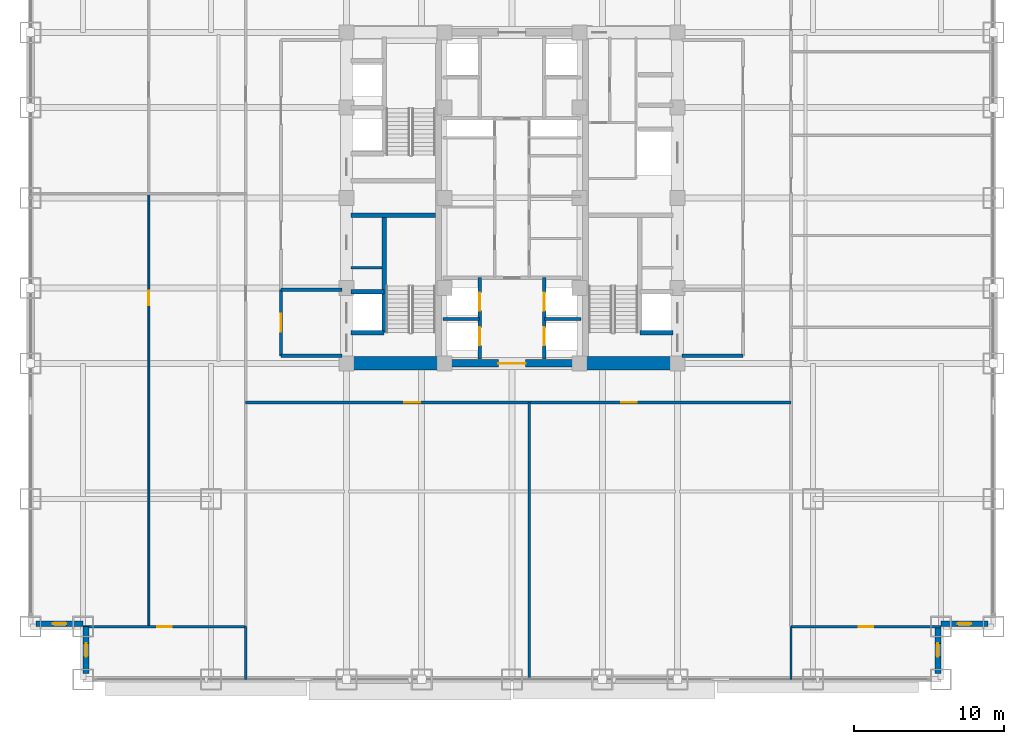
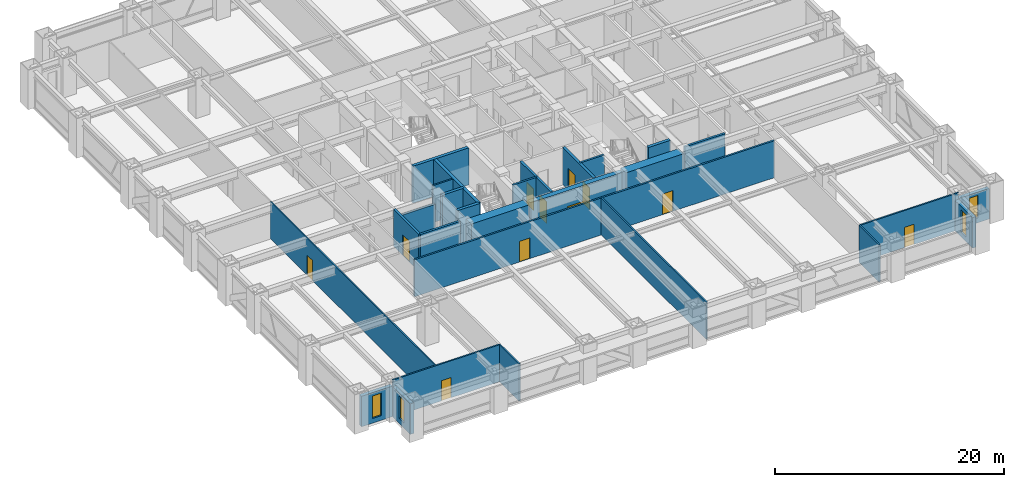
# One storey, part 23 of 32: 28 walls, 11 doors, 4 windows, 15 openings.
"""IFC4 building model written with IfcOpenShell, lengths in metres."""

import ifcopenshell
import ifcopenshell.guid

model = None  # the IFC model being written
_history = None  # IfcOwnerHistory: only IFC2X3 demands one
_inside = {}  # id of a spatial element -> (the spatial element, [elements in it])
_under = {}  # id of a project, library or spatial element -> (it, [spatial elements below it])
_declared = {}  # id of a project -> (the project, [libraries it declares])
_typed = {}  # id of a type object -> (the type object, [elements of that type])
_made_of = {}  # id of a material, layer set ... -> (it, [elements and type objects made of it])


def new_model(schema):
    """Start an empty IFC model of exactly this schema.

    Asked for "IFC4X3", IfcOpenShell would pick the latest addendum, in which some entities
    have other attributes; the version numbers below select the first issue.
    IFC2X3 requires an IfcOwnerHistory on every rooted entity: one is made here for all.
    """
    global model, _history
    if schema == "IFC4X3":
        model = ifcopenshell.file(schema_version=(4, 3, 0, 0))
    else:
        model = ifcopenshell.file(schema=schema)
    _inside.clear()
    _under.clear()
    _declared.clear()
    _typed.clear()
    _made_of.clear()
    _history = None
    if model.schema == "IFC2X3":
        org = make("IfcOrganization", Name="unknown")
        user = make(
            "IfcPersonAndOrganization",
            ThePerson=make("IfcPerson", FamilyName="unknown"),
            TheOrganization=org,
        )
        app = make(
            "IfcApplication",
            ApplicationDeveloper=org,
            Version="unknown",
            ApplicationFullName="unknown",
            ApplicationIdentifier="unknown",
        )
        _history = make(
            "IfcOwnerHistory",
            OwningUser=user,
            OwningApplication=app,
            ChangeAction="ADDED",
            CreationDate=0,
        )
    return model


def make(cls, **values):
    """One entity of the class cls with the attributes given. An attribute that is None is left unset."""
    return model.create_entity(
        cls, **{name: value for name, value in values.items() if value is not None}
    )


def rooted(cls, **values):
    """An entity with a GlobalId (a new one), such as an element, a storey or a relation."""
    return make(cls, GlobalId=ifcopenshell.guid.new(), OwnerHistory=_history, **values)


def si_unit(unit_type, name, prefix=None):
    """IfcSIUnit, for example si_unit("LENGTHUNIT", "METRE", prefix="MILLI")."""
    return make("IfcSIUnit", UnitType=unit_type, Prefix=prefix, Name=name)


def assignment(units):
    """IfcUnitAssignment: the units of a project."""
    return None if units is None else make("IfcUnitAssignment", Units=units)


def point(xyz):
    """IfcCartesianPoint."""
    return None if xyz is None else make("IfcCartesianPoint", Coordinates=xyz)


def direction(xyz):
    """IfcDirection."""
    return None if xyz is None else make("IfcDirection", DirectionRatios=xyz)


def frame(location, z_axis=None, x_axis=None):
    """IfcAxis2Placement3D, a coordinate frame: its origin and axes. An axis left out is left unset."""
    return make(
        "IfcAxis2Placement3D",
        Location=point(location),
        Axis=direction(z_axis),
        RefDirection=direction(x_axis),
    )


def frame_2d(location, x_axis=None):
    """IfcAxis2Placement2D, a coordinate frame in the plane: its origin and x axis."""
    return make(
        "IfcAxis2Placement2D", Location=point(location), RefDirection=direction(x_axis)
    )


def origin():
    """The frame at (0, 0, 0) with its axes left unset."""
    return frame((0.0, 0.0, 0.0))


def place(relative_to, where):
    """IfcLocalPlacement: puts the frame where relative to a parent placement (None: the world)."""
    return make(
        "IfcLocalPlacement", PlacementRelTo=relative_to, RelativePlacement=where
    )


def context(
    kind, dimensions, precision=None, world=None, true_north=None, identifier=None
):
    """IfcGeometricRepresentationContext, for example the 3D "Model" context."""
    return make(
        "IfcGeometricRepresentationContext",
        ContextIdentifier=identifier,
        ContextType=kind,
        CoordinateSpaceDimension=dimensions,
        Precision=precision,
        WorldCoordinateSystem=world,
        TrueNorth=true_north,
    )


def subcontext(parent, identifier, kind, view, scale=None):
    """IfcGeometricRepresentationSubContext, for example "Body" below "Model"."""
    return make(
        "IfcGeometricRepresentationSubContext",
        ContextIdentifier=identifier,
        ContextType=kind,
        ParentContext=parent,
        TargetScale=scale,
        TargetView=view,
    )


def project(units=None, contexts=None):
    """IfcProject with its units and contexts."""
    return rooted(
        "IfcProject",
        Name="project",
        RepresentationContexts=contexts,
        UnitsInContext=assignment(units),
    )


def spatial(cls, under=None, at=None, **own):
    """A site, building, storey or space (cls), placed at a placement, below another one or the project."""
    s = rooted(cls, ObjectPlacement=at, **own)
    if under is not None:
        _under.setdefault(under.id(), (under, []))[1].append(s)
    return s


def profile(cls, at=None, kind="AREA", **sizes):
    """A parametric profile (cls). Its sizes go by their IFC names, for example OverallWidth=200.0."""
    return make(cls, ProfileType=kind, Position=at, **sizes)


def rectangle(**sizes):
    """IfcRectangleProfileDef."""
    return profile("IfcRectangleProfileDef", **sizes)


def extrude(swept, where, along, depth):
    """IfcExtrudedAreaSolid: the profile swept, set in the frame where, extruded along a direction by depth."""
    return make(
        "IfcExtrudedAreaSolid",
        SweptArea=swept,
        Position=where,
        ExtrudedDirection=direction(along),
        Depth=depth,
    )


def shape(context_of_items, identifier, shape_type, items):
    """IfcShapeRepresentation: the items that make up one representation, for example the "Body"."""
    return make(
        "IfcShapeRepresentation",
        ContextOfItems=context_of_items,
        RepresentationIdentifier=identifier,
        RepresentationType=shape_type,
        Items=items,
    )


def source(mapping_origin, context_of_items, identifier, shape_type, items):
    """IfcRepresentationMap: a shape defined once, which mapped items show again and again."""
    return make(
        "IfcRepresentationMap",
        MappingOrigin=mapping_origin,
        MappedRepresentation=shape(context_of_items, identifier, shape_type, items),
    )


def transform(
    local_origin,
    x_axis=None,
    y_axis=None,
    z_axis=None,
    scale=None,
    scale2=None,
    scale3=None,
    uniform=True,
):
    """IfcCartesianTransformationOperator3D, or its non-uniform kind. x_axis, y_axis, z_axis: its Axis1, 2, 3."""
    if uniform:
        return make(
            "IfcCartesianTransformationOperator3D",
            Axis1=direction(x_axis),
            Axis2=direction(y_axis),
            LocalOrigin=point(local_origin),
            Scale=scale,
            Axis3=direction(z_axis),
        )
    return make(
        "IfcCartesianTransformationOperator3DnonUniform",
        Axis1=direction(x_axis),
        Axis2=direction(y_axis),
        LocalOrigin=point(local_origin),
        Scale=scale,
        Axis3=direction(z_axis),
        Scale2=scale2,
        Scale3=scale3,
    )


def mapped(mapping_source, mapping_target):
    """IfcMappedItem: shows the shape of a source again, moved by a transform."""
    return make(
        "IfcMappedItem", MappingSource=mapping_source, MappingTarget=mapping_target
    )


def material(Name=None, Category=None):
    """IfcMaterial."""
    return make("IfcMaterial", Name=Name, Category=Category)


def layer(
    of_material, thickness, ventilated=None, Name=None, Category=None, Priority=None
):
    """IfcMaterialLayer: one layer of a wall or slab, of a material (None: an air gap)."""
    return make(
        "IfcMaterialLayer",
        Material=of_material,
        LayerThickness=thickness,
        IsVentilated=ventilated,
        Name=Name,
        Category=Category,
        Priority=Priority,
    )


def layer_set(layers, Name=None):
    """IfcMaterialLayerSet."""
    return make("IfcMaterialLayerSet", MaterialLayers=layers, LayerSetName=Name)


def made_of(thing, what):
    """Note that an element or type object is made of a material, layer set ...; save() writes the relation."""
    if what is not None:
        _made_of.setdefault(what.id(), (what, []))[1].append(thing)
    return thing


def type_object(cls, material=None, **own):
    """A type object (cls), such as IfcWallType, which elements share."""
    return made_of(rooted(cls, **own), material)


def element(
    cls,
    number,
    at=None,
    inside=None,
    cuts=None,
    type_object=None,
    material=None,
    context=None,
    identifier="Body",
    shape_type=None,
    held_by="IfcProductDefinitionShape",
    body=None,
    shapes=None,
    **own,
):
    """One element of the class cls, such as IfcWall. Its Tag is "e" and its number.

    at: its placement. inside: the storey or other place that contains it. cuts: it is an
    opening in that element (IfcRelVoidsElement). A single representation is given by context,
    identifier, shape_type and body (its items); several are given by shapes. held_by: the class
    of the entity that holds the representations. save() writes the other relations.
    """
    e = rooted(cls, Tag="e%d" % number, ObjectPlacement=at, **own)
    if body is not None:
        shapes = [shape(context, identifier, shape_type, body)]
    if shapes is not None:
        e.Representation = make(held_by, Representations=shapes)
    if inside is not None:
        _inside.setdefault(inside.id(), (inside, []))[1].append(e)
    if cuts is not None:
        rooted(
            "IfcRelVoidsElement", RelatingBuildingElement=cuts, RelatedOpeningElement=e
        )
    if type_object is not None:
        _typed.setdefault(type_object.id(), (type_object, []))[1].append(e)
    return made_of(e, material)


def fill(opening, filler):
    """IfcRelFillsElement: the door or window that sits in an opening."""
    return rooted(
        "IfcRelFillsElement",
        RelatingOpeningElement=opening,
        RelatedBuildingElement=filler,
    )


def aggregate(whole, parts):
    """IfcRelAggregates: a whole, such as a stair, and the parts it consists of."""
    return rooted("IfcRelAggregates", RelatingObject=whole, RelatedObjects=parts)


def save(model, path):
    """Write the relations noted so far, then the file.

    IfcRelAggregates (storeys below a building ...), IfcRelContainedInSpatialStructure (elements
    in a storey), IfcRelDefinesByType, IfcRelAssociatesMaterial and IfcRelDeclares: one each for
    every whole, place, type object, material and project.
    """
    for whole, parts in _under.values():
        aggregate(whole, parts)
    for where, things in _inside.values():
        rooted(
            "IfcRelContainedInSpatialStructure",
            RelatedElements=things,
            RelatingStructure=where,
        )
    for kind, things in _typed.values():
        rooted("IfcRelDefinesByType", RelatedObjects=things, RelatingType=kind)
    for what, things in _made_of.values():
        rooted("IfcRelAssociatesMaterial", RelatedObjects=things, RelatingMaterial=what)
    for by, libraries in _declared.values():
        rooted("IfcRelDeclares", RelatingContext=by, RelatedDefinitions=libraries)
    model.write(path)


model = new_model("IFC4")

# Units and contexts
model_context = context("Model", 3, precision=1e-05, world=origin(), true_north=direction((0.0, 1.0)))
body_context = subcontext(model_context, "Body", "Model", "MODEL_VIEW")
ifc_project = project(units=[si_unit("LENGTHUNIT", "METRE"), si_unit("AREAUNIT", "SQUARE_METRE"), si_unit("VOLUMEUNIT", "CUBIC_METRE"), si_unit("PLANEANGLEUNIT", "RADIAN"), si_unit("MASSUNIT", "GRAM", prefix="KILO")], contexts=[model_context])

# Site, building, storey
site_placement = place(None, origin())
site = spatial("IfcSite", under=ifc_project, at=site_placement, CompositionType="ELEMENT")
building_placement = place(site_placement, origin())
building = spatial("IfcBuilding", under=site, at=building_placement, Name="Khorayat Bourse Tower", CompositionType="ELEMENT")
storey_placement = place(building_placement, frame((0.0, 0.0, 74.60009765625)))
storey = spatial("IfcBuildingStorey", under=building, at=storey_placement, Name="L16", CompositionType="ELEMENT", Elevation=74.60009765625)

# Walls
ifc_material_1 = material(Name="Concrete C72/90", Category="concrete")
ifc_layer_1 = layer(ifc_material_1, 0.89990234375)
ifc_layer_set_1 = layer_set([ifc_layer_1], Name="Concrete C72/90")
wall_type_1 = type_object("IfcWallType", Name="WAL-CORE-900", PredefinedType="SHEAR", material=ifc_layer_set_1)
shared_shape_1 = source(origin(), body_context, "Body", "SweptSolid", [
    extrude(rectangle(XDim=5.849853515625, YDim=0.89990234375, at=frame_2d((2.9248046875, 0.0))), origin(), (0.0, 0.0, 1.0), 3.93994140625),
])
for number, where, z_axis, x_axis, name in (
    (1, (-10.699951171875, -11.0, 0.0), (0.0, 0.0, 1.0), (1.0, 0.0, 0.0), "L16 Core Shear Wall PIER-WS"),
    (2, (4.85009765625, -11.0, 0.0), (0.0, 0.0, 1.0), (1.0, 0.0, 0.0), "L16 Core Shear Wall PIER-ES"),
):
    element("IfcWall", number, at=place(storey_placement, frame(where, z_axis=z_axis, x_axis=x_axis)), inside=storey, type_object=wall_type_1, Name=name, PredefinedType="SHEAR", context=body_context, shape_type="MappedRepresentation", body=[
        mapped(shared_shape_1, transform((0.0, 0.0, 0.0), scale=1.0)),
    ])
ifc_material_2 = material(Name="Concrete C50/60", Category="concrete")
ifc_layer_2 = layer(ifc_material_2, 0.300048828125)
ifc_layer_set_2 = layer_set([ifc_layer_2], Name="Concrete C50/60")
wall_type_2 = type_object("IfcWallType", Name="WAL-SHAFT-300", PredefinedType="SHEAR", material=ifc_layer_set_2)
shared_shape_2 = source(origin(), body_context, "Body", "SweptSolid", [
    extrude(rectangle(XDim=5.599853515625, YDim=0.300048828125, at=frame_2d((2.7998046875, 0.0))), origin(), (0.0, 0.0, 1.0), 3.93994140625),
])
wall_1_placement = place(storey_placement, frame((-10.699951171875, -1.14990234375, 0.0), z_axis=(0.0, 0.0, 1.0), x_axis=(1.0, 0.0, 0.0)))
element("IfcWall", 3, at=wall_1_placement, inside=storey, type_object=wall_type_2, Name="L16 Core Shear Wall ST1-DIV", PredefinedType="SHEAR", context=body_context, shape_type="MappedRepresentation", body=[
    mapped(shared_shape_2, transform((0.0, 0.0, 0.0), scale=1.0)),
])

# Wall, opening, door
ifc_material_3 = material(Name="Concrete C52/65", Category="concrete")
ifc_layer_3 = layer(ifc_material_3, 0.5)
ifc_layer_set_3 = layer_set([ifc_layer_3], Name="Concrete C52/65")
wall_type_3 = type_object("IfcWallType", Name="WAL-CORE-500", PredefinedType="SHEAR", material=ifc_layer_set_3)
shared_shape_3 = source(origin(), body_context, "Body", "SweptSolid", [
    extrude(rectangle(XDim=9.2001953125, YDim=0.5, at=frame_2d((4.60009765625, 0.0))), origin(), (0.0, 0.0, 1.0), 3.93994140625),
])
wall_2_placement = place(storey_placement, frame((-4.60009765625, -11.0, 0.0), z_axis=(0.0, 0.0, 1.0), x_axis=(1.0, 0.0, 0.0)))
wall_2 = element("IfcWall", 4, at=wall_2_placement, inside=storey, type_object=wall_type_3, Name="L16 Core Shear Wall CORE-S", PredefinedType="SHEAR", context=body_context, shape_type="MappedRepresentation", body=[
    mapped(shared_shape_3, transform((0.0, 0.0, 0.0), scale=1.0)),
])
shared_shape_4 = source(origin(), body_context, "Body", "SweptSolid", [
    extrude(rectangle(XDim=1.800048828125, YDim=2.25, at=frame_2d((0.89990234375, 1.125))), frame((0.0, 0.260009765625, 0.0), z_axis=(0.0, -1.0, 0.0), x_axis=(1.0, 0.0, 0.0)), (0.0, 0.0, 1.0), 0.52001953125),
])
opening_1_placement = place(wall_2_placement, frame((3.699951171875, 0.0, 0.0)))
opening_1 = element("IfcOpeningElement", 5, at=opening_1_placement, cuts=wall_2, Name="Opening DI-03", PredefinedType="OPENING", context=body_context, shape_type="MappedRepresentation", body=[
    mapped(shared_shape_4, transform((0.0, 0.0, 0.0), scale=1.0)),
])
ifc_material_4 = material(Name="Fire-rated hardwood vision-panel double leaf", Category="wood")
door_type_1 = type_object("IfcDoorType", Name="DR-INT-CORR-1800", OperationType="NOTDEFINED", PredefinedType="DOOR", material=ifc_material_4)
shared_shape_5 = source(origin(), body_context, "Body", "SweptSolid", [
    extrude(rectangle(XDim=1.800048828125, YDim=2.25, at=frame_2d((0.89990234375, 1.125))), frame((0.0, 0.02490234375, 0.0), z_axis=(0.0, -1.0, 0.0), x_axis=(1.0, 0.0, 0.0)), (0.0, 0.0, 1.0), 0.050048828125),
])
door_1_placement = place(opening_1_placement, origin())
door_1 = element("IfcDoor", 6, at=door_1_placement, inside=storey, type_object=door_type_1, Name="L16 Low-Rise Lift Lobby Door", OperationType="SINGLE_SWING_LEFT", OverallHeight=2.25, OverallWidth=1.800048828125, PredefinedType="DOOR", context=body_context, shape_type="MappedRepresentation", body=[
    mapped(shared_shape_5, transform((0.0, 0.0, 0.0), scale=1.0)),
])
fill(opening_1, door_1)

# Wall, opening, window
ifc_material_5 = material(Name="Precast concrete C45/55", Category="concrete")
ifc_layer_4 = layer(ifc_material_5, 0.3798828125)
ifc_layer_set_4 = layer_set([ifc_layer_4], Name="Precast concrete C45/55")
wall_type_4 = type_object("IfcWallType", Name="WAL-EXT-STONE-380", PredefinedType="STANDARD", material=ifc_layer_set_4)
shared_shape_6 = source(origin(), body_context, "Body", "SweptSolid", [
    extrude(rectangle(XDim=3.1201171875, YDim=0.3798828125, at=frame_2d((1.56005859375, 0.0))), origin(), (0.0, 0.0, 1.0), 3.244873046875),
])
wall_3_placement = place(storey_placement, frame((-28.5, -28.31005859375, 0.0), z_axis=(0.0, 0.0, 1.0), x_axis=(-1.0, 0.0, 0.0)))
wall_3 = element("IfcWall", 7, at=wall_3_placement, inside=storey, type_object=wall_type_4, Name="L16 Re-Entrant Notch Limestone Wall SW-H", PredefinedType="STANDARD", context=body_context, shape_type="MappedRepresentation", body=[
    mapped(shared_shape_6, transform((0.0, 0.0, 0.0), scale=1.0)),
])
shared_shape_7 = source(origin(), body_context, "Body", "SweptSolid", [
    extrude(rectangle(XDim=0.89990234375, YDim=2.39990234375, at=frame_2d((0.449951171875, 1.199951171875))), frame((0.0, 0.199951171875, 0.0), z_axis=(0.0, -1.0, 0.0), x_axis=(1.0, 0.0, 0.0)), (0.0, 0.0, 1.0), 0.39990234375),
])
opening_2_placement = place(wall_3_placement, frame((1.110107421875, 0.0, 0.5)))
opening_2 = element("IfcOpeningElement", 8, at=opening_2_placement, cuts=wall_3, Name="Opening WN-03", PredefinedType="OPENING", context=body_context, shape_type="MappedRepresentation", body=[
    mapped(shared_shape_7, transform((0.0, 0.0, 0.0), scale=1.0)),
])
ifc_material_6 = material(Name="Deep-reveal solar-control double glazing", Category="glass")
window_type = type_object("IfcWindowType", Name="WIN-SLOT-900x2400", PartitioningType="SINGLE_PANEL", PredefinedType="WINDOW", material=ifc_material_6)
shared_shape_8 = source(origin(), body_context, "Body", "SweptSolid", [
    extrude(rectangle(XDim=0.89990234375, YDim=2.39990234375, at=frame_2d((0.449951171875, 1.199951171875))), frame((0.0, 0.030029296875, 0.0), z_axis=(0.0, -1.0, 0.0), x_axis=(1.0, 0.0, 0.0)), (0.0, 0.0, 1.0), 0.06005859375),
])
window_1_placement = place(opening_2_placement, origin())
window_1 = element("IfcWindow", 9, at=window_1_placement, inside=storey, type_object=window_type, Name="L16 Facade Window 1", OverallHeight=2.39990234375, OverallWidth=0.89990234375, PartitioningType="SINGLE_PANEL", PredefinedType="WINDOW", context=body_context, shape_type="MappedRepresentation", body=[
    mapped(shared_shape_8, transform((0.0, 0.0, 0.0), scale=1.0)),
])
fill(opening_2, window_1)

wall_4_placement = place(storey_placement, frame((-28.31005859375, -31.6201171875, 0.0), z_axis=(0.0, 0.0, 1.0), x_axis=(0.0, 1.0, 0.0)))
wall_4 = element("IfcWall", 10, at=wall_4_placement, inside=storey, type_object=wall_type_4, Name="L16 Re-Entrant Notch Limestone Wall SW-V", PredefinedType="STANDARD", context=body_context, shape_type="MappedRepresentation", body=[
    mapped(shared_shape_6, transform((0.0, 0.0, 0.0), scale=1.0)),
])
opening_3_placement = place(wall_4_placement, frame((1.110107421875, 0.0, 0.5)))
opening_3 = element("IfcOpeningElement", 11, at=opening_3_placement, cuts=wall_4, Name="Opening WN-03", PredefinedType="OPENING", context=body_context, shape_type="MappedRepresentation", body=[
    mapped(shared_shape_7, transform((0.0, 0.0, 0.0), scale=1.0)),
])
window_2_placement = place(opening_3_placement, origin())
window_2 = element("IfcWindow", 12, at=window_2_placement, inside=storey, type_object=window_type, Name="L16 Facade Window 1", OverallHeight=2.39990234375, OverallWidth=0.89990234375, PartitioningType="SINGLE_PANEL", PredefinedType="WINDOW", context=body_context, shape_type="MappedRepresentation", body=[
    mapped(shared_shape_8, transform((0.0, 0.0, 0.0), scale=1.0)),
])
fill(opening_3, window_2)

wall_5_placement = place(storey_placement, frame((28.31005859375, -31.6201171875, 0.0), z_axis=(0.0, 0.0, 1.0), x_axis=(0.0, 1.0, 0.0)))
wall_5 = element("IfcWall", 13, at=wall_5_placement, inside=storey, type_object=wall_type_4, Name="L16 Re-Entrant Notch Limestone Wall SE-V", PredefinedType="STANDARD", context=body_context, shape_type="MappedRepresentation", body=[
    mapped(shared_shape_6, transform((0.0, 0.0, 0.0), scale=1.0)),
])
opening_4_placement = place(wall_5_placement, frame((1.110107421875, 0.0, 0.5)))
opening_4 = element("IfcOpeningElement", 14, at=opening_4_placement, cuts=wall_5, Name="Opening WN-03", PredefinedType="OPENING", context=body_context, shape_type="MappedRepresentation", body=[
    mapped(shared_shape_7, transform((0.0, 0.0, 0.0), scale=1.0)),
])
window_3_placement = place(opening_4_placement, origin())
window_3 = element("IfcWindow", 15, at=window_3_placement, inside=storey, type_object=window_type, Name="L16 Facade Window 1", OverallHeight=2.39990234375, OverallWidth=0.89990234375, PartitioningType="SINGLE_PANEL", PredefinedType="WINDOW", context=body_context, shape_type="MappedRepresentation", body=[
    mapped(shared_shape_8, transform((0.0, 0.0, 0.0), scale=1.0)),
])
fill(opening_4, window_3)

wall_6_placement = place(storey_placement, frame((28.5, -28.31005859375, 0.0), z_axis=(0.0, 0.0, 1.0), x_axis=(1.0, 0.0, 0.0)))
wall_6 = element("IfcWall", 16, at=wall_6_placement, inside=storey, type_object=wall_type_4, Name="L16 Re-Entrant Notch Limestone Wall SE-H", PredefinedType="STANDARD", context=body_context, shape_type="MappedRepresentation", body=[
    mapped(shared_shape_6, transform((0.0, 0.0, 0.0), scale=1.0)),
])
opening_5_placement = place(wall_6_placement, frame((1.110107421875, 0.0, 0.5)))
opening_5 = element("IfcOpeningElement", 17, at=opening_5_placement, cuts=wall_6, Name="Opening WN-03", PredefinedType="OPENING", context=body_context, shape_type="MappedRepresentation", body=[
    mapped(shared_shape_7, transform((0.0, 0.0, 0.0), scale=1.0)),
])
window_4_placement = place(opening_5_placement, origin())
window_4 = element("IfcWindow", 18, at=window_4_placement, inside=storey, type_object=window_type, Name="L16 Facade Window 1", OverallHeight=2.39990234375, OverallWidth=0.89990234375, PartitioningType="SINGLE_PANEL", PredefinedType="WINDOW", context=body_context, shape_type="MappedRepresentation", body=[
    mapped(shared_shape_8, transform((0.0, 0.0, 0.0), scale=1.0)),
])
fill(opening_5, window_4)

# Walls
shared_shape_9 = source(origin(), body_context, "Body", "SweptSolid", [
    extrude(rectangle(XDim=7.800048828125, YDim=0.300048828125, at=frame_2d((3.89990234375, 0.0))), origin(), (0.0, 0.0, 1.0), 3.93994140625),
])
wall_7_placement = place(storey_placement, frame((-8.5, -8.949951171875, 0.0), z_axis=(0.0, 0.0, 1.0), x_axis=(0.0, 1.0, 0.0)))
element("IfcWall", 19, at=wall_7_placement, inside=storey, type_object=wall_type_2, Name="L16 Partition WAL-L16-WPIER-SP", PredefinedType="SHEAR", context=body_context, shape_type="MappedRepresentation", body=[
    mapped(shared_shape_9, transform((0.0, 0.0, 0.0), scale=1.0)),
])
shared_shape_10 = source(origin(), body_context, "Body", "SweptSolid", [
    extrude(rectangle(XDim=2.199951171875, YDim=0.300048828125, at=frame_2d((1.10009765625, 0.0))), origin(), (0.0, 0.0, 1.0), 3.93994140625),
])
for number, where, z_axis, x_axis, name in (
    (20, (-10.699951171875, -8.949951171875, 0.0), (0.0, 0.0, 1.0), (1.0, 0.0, 0.0), "L16 Partition WAL-L16-WPIER-FF1S"),
    (21, (-10.699951171875, -6.25, 0.0), (0.0, 0.0, 1.0), (1.0, 0.0, 0.0), "L16 Partition WAL-L16-WPIER-FF1N"),
    (22, (8.5, -8.949951171875, 0.0), (0.0, 0.0, 1.0), (1.0, 0.0, 0.0), "L16 Partition WAL-L16-EPIER-FF2S"),
):
    element("IfcWall", number, at=place(storey_placement, frame(where, z_axis=z_axis, x_axis=x_axis)), inside=storey, type_object=wall_type_2, Name=name, PredefinedType="SHEAR", context=body_context, shape_type="MappedRepresentation", body=[
        mapped(shared_shape_10, transform((0.0, 0.0, 0.0), scale=1.0)),
    ])
ifc_material_7 = material(Name="Gypsum plasterboard twin-frame partition")
ifc_layer_5 = layer(ifc_material_7, 0.14990234375)
ifc_layer_set_5 = layer_set([ifc_layer_5], Name="Gypsum plasterboard twin-frame partition")
wall_type_5 = type_object("IfcWallType", Name="WAL-PART-SUITE-150", PredefinedType="PARTITIONING", material=ifc_layer_set_5)
shared_shape_11 = source(origin(), body_context, "Body", "SweptSolid", [
    extrude(rectangle(XDim=2.050048828125, YDim=0.14990234375, at=frame_2d((1.02490234375, 0.0))), origin(), (0.0, 0.0, 1.0), 3.93994140625),
])
wall_8_placement = place(storey_placement, frame((-10.699951171875, -4.64990234375, 0.0), z_axis=(0.0, 0.0, 1.0), x_axis=(1.0, 0.0, 0.0)))
element("IfcWall", 23, at=wall_8_placement, inside=storey, type_object=wall_type_5, Name="L16 Partition WAL-L16-WSRV-S0", PredefinedType="PARTITIONING", context=body_context, shape_type="MappedRepresentation", body=[
    mapped(shared_shape_11, transform((0.0, 0.0, 0.0), scale=1.0)),
])
ifc_material_8 = material(Name="Aerated concrete blockwork", Category="masonry")
ifc_layer_6 = layer(ifc_material_8, 0.219970703125)
ifc_layer_set_6 = layer_set([ifc_layer_6], Name="Aerated concrete blockwork")
wall_type_6 = type_object("IfcWallType", Name="WAL-PART-FF-220", PredefinedType="PARTITIONING", material=ifc_layer_set_6)
shared_shape_12 = source(origin(), body_context, "Body", "SweptSolid", [
    extrude(rectangle(XDim=4.050048828125, YDim=0.219970703125, at=frame_2d((2.02490234375, 0.0))), origin(), (0.0, 0.0, 1.0), 3.93994140625),
])
for number, where, z_axis, x_axis, name in (
    (24, (-15.35009765625, -10.5, 0.0), (0.0, 0.0, 1.0), (1.0, 0.0, 0.0), "L16 Partition WAL-L16-FFLW-S"),
    (25, (11.300048828125, -10.5, 0.0), (0.0, 0.0, 1.0), (1.0, 0.0, 0.0), "L16 Partition WAL-L16-FFLE-S"),
):
    element("IfcWall", number, at=place(storey_placement, frame(where, z_axis=z_axis, x_axis=x_axis)), inside=storey, type_object=wall_type_6, Name=name, PredefinedType="PARTITIONING", context=body_context, shape_type="MappedRepresentation", body=[
        mapped(shared_shape_12, transform((0.0, 0.0, 0.0), scale=1.0)),
    ])
shared_shape_13 = source(origin(), body_context, "Body", "SweptSolid", [
    extrude(rectangle(XDim=4.050048828125, YDim=0.219970703125, at=frame_2d((2.02490234375, 0.0))), origin(), (0.0, 0.0, 1.0), 3.0849609375),
])
wall_9_placement = place(storey_placement, frame((-15.35009765625, -6.10009765625, 0.0), z_axis=(0.0, 0.0, 1.0), x_axis=(1.0, 0.0, 0.0)))
element("IfcWall", 26, at=wall_9_placement, inside=storey, type_object=wall_type_6, Name="L16 Partition WAL-L16-FFLW-N", PredefinedType="PARTITIONING", context=body_context, shape_type="MappedRepresentation", body=[
    mapped(shared_shape_13, transform((0.0, 0.0, 0.0), scale=1.0)),
])

# Wall, opening, door
shared_shape_14 = source(origin(), body_context, "Body", "SweptSolid", [
    extrude(rectangle(XDim=4.39990234375, YDim=0.219970703125, at=frame_2d((2.199951171875, 0.0))), origin(), (0.0, 0.0, 1.0), 3.93994140625),
])
wall_10_placement = place(storey_placement, frame((-15.35009765625, -10.5, 0.0), z_axis=(0.0, 0.0, 1.0), x_axis=(0.0, 1.0, 0.0)))
wall_10 = element("IfcWall", 27, at=wall_10_placement, inside=storey, type_object=wall_type_6, Name="L16 Partition WAL-L16-FFLW-W", PredefinedType="PARTITIONING", context=body_context, shape_type="MappedRepresentation", body=[
    mapped(shared_shape_14, transform((0.0, 0.0, 0.0), scale=1.0)),
])
shared_shape_15 = source(origin(), body_context, "Body", "SweptSolid", [
    extrude(rectangle(XDim=1.199951171875, YDim=2.199951171875, at=frame_2d((0.60009765625, 1.10009765625))), frame((0.0, 0.119873046875, 0.0), z_axis=(0.0, -1.0, 0.0), x_axis=(1.0, 0.0, 0.0)), (0.0, 0.0, 1.0), 0.239990234375),
])
opening_6_placement = place(wall_10_placement, frame((1.60009765625, 0.0, 0.0)))
opening_6 = element("IfcOpeningElement", 28, at=opening_6_placement, cuts=wall_10, Name="Opening DI-02", PredefinedType="OPENING", context=body_context, shape_type="MappedRepresentation", body=[
    mapped(shared_shape_15, transform((0.0, 0.0, 0.0), scale=1.0)),
])
ifc_material_9 = material(Name="Fire-rated steel double-seal leaf", Category="steel")
door_type_2 = type_object("IfcDoorType", Name="DR-INT-FFLOBBY-1200", OperationType="NOTDEFINED", PredefinedType="DOOR", material=ifc_material_9)
shared_shape_16 = source(origin(), body_context, "Body", "SweptSolid", [
    extrude(rectangle(XDim=1.199951171875, YDim=2.199951171875, at=frame_2d((0.60009765625, 1.10009765625))), frame((0.0, 0.02490234375, 0.0), z_axis=(0.0, -1.0, 0.0), x_axis=(1.0, 0.0, 0.0)), (0.0, 0.0, 1.0), 0.050048828125),
])
door_2_placement = place(opening_6_placement, origin())
door_2 = element("IfcDoor", 29, at=door_2_placement, inside=storey, type_object=door_type_2, Name="L16 West Firefighting Lobby Door", OperationType="SINGLE_SWING_LEFT", OverallHeight=2.199951171875, OverallWidth=1.199951171875, PredefinedType="DOOR", context=body_context, shape_type="MappedRepresentation", body=[
    mapped(shared_shape_16, transform((0.0, 0.0, 0.0), scale=1.0)),
])
fill(opening_6, door_2)

# Wall, openings, doors
shared_shape_17 = source(origin(), body_context, "Body", "SweptSolid", [
    extrude(rectangle(XDim=5.39990234375, YDim=0.25, at=frame_2d((2.699951171875, 0.0))), origin(), (0.0, 0.0, 1.0), 3.93994140625),
])
wall_11_placement = place(storey_placement, frame((-2.14990234375, -10.699951171875, 0.0), z_axis=(0.0, 0.0, 1.0), x_axis=(0.0, 1.0, 0.0)))
wall_11 = element("IfcWall", 30, at=wall_11_placement, inside=storey, type_object=wall_type_2, Name="L16 Partition WAL-L16-B1-W", PredefinedType="SHEAR", context=body_context, shape_type="MappedRepresentation", body=[
    mapped(shared_shape_17, transform((0.0, 0.0, 0.0), scale=1.0)),
])
shared_shape_18 = source(origin(), body_context, "Body", "SweptSolid", [
    extrude(rectangle(XDim=1.199951171875, YDim=2.300048828125, at=frame_2d((0.60009765625, 1.14990234375))), frame((0.0, 0.135009765625, 0.0), z_axis=(0.0, -1.0, 0.0), x_axis=(1.0, 0.0, 0.0)), (0.0, 0.0, 1.0), 0.27001953125),
])
opening_7_placement = place(wall_11_placement, frame((0.89990234375, 0.0, 0.0)))
opening_7 = element("IfcOpeningElement", 31, at=opening_7_placement, cuts=wall_11, Name="Opening LD-01", PredefinedType="OPENING", context=body_context, shape_type="MappedRepresentation", body=[
    mapped(shared_shape_18, transform((0.0, 0.0, 0.0), scale=1.0)),
])
opening_8_placement = place(wall_11_placement, frame((3.199951171875, 0.0, 0.0)))
opening_8 = element("IfcOpeningElement", 32, at=opening_8_placement, cuts=wall_11, Name="Opening LD-01", PredefinedType="OPENING", context=body_context, shape_type="MappedRepresentation", body=[
    mapped(shared_shape_18, transform((0.0, 0.0, 0.0), scale=1.0)),
])
ifc_material_10 = material(Name="Brushed bronze stainless-steel sliding door", Category="steel")
door_type_3 = type_object("IfcDoorType", Name="DR-LIFT-PASS-1200", OperationType="NOTDEFINED", PredefinedType="DOOR", material=ifc_material_10)
shared_shape_19 = source(origin(), body_context, "Body", "SweptSolid", [
    extrude(rectangle(XDim=1.199951171875, YDim=2.300048828125, at=frame_2d((0.60009765625, 1.14990234375))), frame((0.0, 0.02490234375, 0.0), z_axis=(0.0, -1.0, 0.0), x_axis=(1.0, 0.0, 0.0)), (0.0, 0.0, 1.0), 0.050048828125),
])
door_3_placement = place(opening_7_placement, origin())
door_3 = element("IfcDoor", 33, at=door_3_placement, inside=storey, type_object=door_type_3, Name="L16 Lift PL-L1 Sliding Landing Door", OperationType="SLIDING_TO_LEFT", OverallHeight=2.300048828125, OverallWidth=1.199951171875, PredefinedType="DOOR", context=body_context, shape_type="MappedRepresentation", body=[
    mapped(shared_shape_19, transform((0.0, 0.0, 0.0), scale=1.0)),
])
fill(opening_7, door_3)
door_4_placement = place(opening_8_placement, origin())
door_4 = element("IfcDoor", 34, at=door_4_placement, inside=storey, type_object=door_type_3, Name="L16 Lift PL-L3 Sliding Landing Door", OperationType="SLIDING_TO_LEFT", OverallHeight=2.300048828125, OverallWidth=1.199951171875, PredefinedType="DOOR", context=body_context, shape_type="MappedRepresentation", body=[
    mapped(shared_shape_19, transform((0.0, 0.0, 0.0), scale=1.0)),
])
fill(opening_8, door_4)

wall_12_placement = place(storey_placement, frame((2.14990234375, -10.699951171875, 0.0), z_axis=(0.0, 0.0, 1.0), x_axis=(0.0, 1.0, 0.0)))
wall_12 = element("IfcWall", 35, at=wall_12_placement, inside=storey, type_object=wall_type_2, Name="L16 Partition WAL-L16-B1-E", PredefinedType="SHEAR", context=body_context, shape_type="MappedRepresentation", body=[
    mapped(shared_shape_17, transform((0.0, 0.0, 0.0), scale=1.0)),
])
opening_9_placement = place(wall_12_placement, frame((0.89990234375, 0.0, 0.0)))
opening_9 = element("IfcOpeningElement", 36, at=opening_9_placement, cuts=wall_12, Name="Opening LD-01", PredefinedType="OPENING", context=body_context, shape_type="MappedRepresentation", body=[
    mapped(shared_shape_18, transform((0.0, 0.0, 0.0), scale=1.0)),
])
opening_10_placement = place(wall_12_placement, frame((3.199951171875, 0.0, 0.0)))
opening_10 = element("IfcOpeningElement", 37, at=opening_10_placement, cuts=wall_12, Name="Opening LD-01", PredefinedType="OPENING", context=body_context, shape_type="MappedRepresentation", body=[
    mapped(shared_shape_18, transform((0.0, 0.0, 0.0), scale=1.0)),
])
door_5_placement = place(opening_9_placement, origin())
door_5 = element("IfcDoor", 38, at=door_5_placement, inside=storey, type_object=door_type_3, Name="L16 Lift PL-L2 Sliding Landing Door", OperationType="SLIDING_TO_LEFT", OverallHeight=2.300048828125, OverallWidth=1.199951171875, PredefinedType="DOOR", context=body_context, shape_type="MappedRepresentation", body=[
    mapped(shared_shape_19, transform((0.0, 0.0, 0.0), scale=1.0)),
])
fill(opening_9, door_5)
door_6_placement = place(opening_10_placement, origin())
door_6 = element("IfcDoor", 39, at=door_6_placement, inside=storey, type_object=door_type_3, Name="L16 Lift PL-L4 Sliding Landing Door", OperationType="SLIDING_TO_LEFT", OverallHeight=2.300048828125, OverallWidth=1.199951171875, PredefinedType="DOOR", context=body_context, shape_type="MappedRepresentation", body=[
    mapped(shared_shape_19, transform((0.0, 0.0, 0.0), scale=1.0)),
])
fill(opening_10, door_6)

# Walls
shared_shape_20 = source(origin(), body_context, "Body", "SweptSolid", [
    extrude(rectangle(XDim=2.4501953125, YDim=0.199951171875, at=frame_2d((1.22509765625, 0.0))), origin(), (0.0, 0.0, 1.0), 3.93994140625),
])
for number, where, z_axis, x_axis, name in (
    (40, (-4.60009765625, -8.050048828125, 0.0), (0.0, 0.0, 1.0), (1.0, 0.0, 0.0), "L16 Partition WAL-L16-B1-MW"),
    (41, (2.14990234375, -8.050048828125, 0.0), (0.0, 0.0, 1.0), (1.0, 0.0, 0.0), "L16 Partition WAL-L16-B1-ME"),
):
    element("IfcWall", number, at=place(storey_placement, frame(where, z_axis=z_axis, x_axis=x_axis)), inside=storey, type_object=wall_type_2, Name=name, PredefinedType="SHEAR", context=body_context, shape_type="MappedRepresentation", body=[
        mapped(shared_shape_20, transform((0.0, 0.0, 0.0), scale=1.0)),
    ])

# Wall, openings, doors
ifc_material_11 = material(Name="Gypsum plasterboard acoustic stud wall")
ifc_layer_7 = layer(ifc_material_11, 0.179931640625)
ifc_layer_set_7 = layer_set([ifc_layer_7], Name="Gypsum plasterboard acoustic stud wall")
wall_type_7 = type_object("IfcWallType", Name="WAL-PART-CORR-180", PredefinedType="PARTITIONING", material=ifc_layer_set_7)
shared_shape_21 = source(origin(), body_context, "Body", "SweptSolid", [
    extrude(rectangle(XDim=36.25, YDim=0.179931640625, at=frame_2d((18.125, 0.0))), origin(), (0.0, 0.0, 1.0), 3.93994140625),
])
wall_13_placement = place(storey_placement, frame((-17.699951171875, -13.60009765625, 0.0), z_axis=(0.0, 0.0, 1.0), x_axis=(1.0, 0.0, 0.0)))
wall_13 = element("IfcWall", 42, at=wall_13_placement, inside=storey, type_object=wall_type_7, Name="L16 Partition WAL-L16-SCORR", PredefinedType="PARTITIONING", context=body_context, shape_type="MappedRepresentation", body=[
    mapped(shared_shape_21, transform((0.0, 0.0, 0.0), scale=1.0)),
])
shared_shape_22 = source(origin(), body_context, "Body", "SweptSolid", [
    extrude(rectangle(XDim=1.050048828125, YDim=2.199951171875, at=frame_2d((0.52490234375, 1.10009765625))), frame((0.0, 0.099853515625, 0.0), z_axis=(0.0, -1.0, 0.0), x_axis=(1.0, 0.0, 0.0)), (0.0, 0.0, 1.0), 0.199951171875),
])
opening_11_placement = place(wall_13_placement, frame((10.550048828125, 0.0, 0.0)))
opening_11 = element("IfcOpeningElement", 43, at=opening_11_placement, cuts=wall_13, Name="Opening DI-04", PredefinedType="OPENING", context=body_context, shape_type="MappedRepresentation", body=[
    mapped(shared_shape_22, transform((0.0, 0.0, 0.0), scale=1.0)),
])
opening_12_placement = place(wall_13_placement, frame((24.949951171875, 0.0, 0.0)))
opening_12 = element("IfcOpeningElement", 44, at=opening_12_placement, cuts=wall_13, Name="Opening DI-04", PredefinedType="OPENING", context=body_context, shape_type="MappedRepresentation", body=[
    mapped(shared_shape_22, transform((0.0, 0.0, 0.0), scale=1.0)),
])
ifc_material_12 = material(Name="Fire-rated oak veneer suite entrance door")
door_type_4 = type_object("IfcDoorType", Name="DR-INT-SUITE-1050", OperationType="NOTDEFINED", PredefinedType="DOOR", material=ifc_material_12)
shared_shape_23 = source(origin(), body_context, "Body", "SweptSolid", [
    extrude(rectangle(XDim=1.050048828125, YDim=2.199951171875, at=frame_2d((0.52490234375, 1.10009765625))), frame((0.0, 0.02490234375, 0.0), z_axis=(0.0, -1.0, 0.0), x_axis=(1.0, 0.0, 0.0)), (0.0, 0.0, 1.0), 0.050048828125),
])
door_7_placement = place(opening_11_placement, origin())
door_7 = element("IfcDoor", 45, at=door_7_placement, inside=storey, type_object=door_type_4, Name="L16 Issuer Listing Showroom S1 Door", OperationType="SINGLE_SWING_RIGHT", OverallHeight=2.199951171875, OverallWidth=1.050048828125, PredefinedType="DOOR", context=body_context, shape_type="MappedRepresentation", body=[
    mapped(shared_shape_23, transform((0.0, 0.0, 0.0), scale=1.0)),
])
fill(opening_11, door_7)
door_8_placement = place(opening_12_placement, origin())
door_8 = element("IfcDoor", 46, at=door_8_placement, inside=storey, type_object=door_type_4, Name="L16 Brokerage Member Kiosk S2 Door", OperationType="SINGLE_SWING_LEFT", OverallHeight=2.199951171875, OverallWidth=1.050048828125, PredefinedType="DOOR", context=body_context, shape_type="MappedRepresentation", body=[
    mapped(shared_shape_23, transform((0.0, 0.0, 0.0), scale=1.0)),
])
fill(opening_12, door_8)

# Walls
shared_shape_24 = source(origin(), body_context, "Body", "SweptSolid", [
    extrude(rectangle(XDim=18.39990234375, YDim=0.14990234375, at=frame_2d((9.199951171875, 0.0))), origin(), (0.0, 0.0, 1.0), 3.93994140625),
])
wall_14_placement = place(storey_placement, frame((1.14990234375, -32.0, 0.0), z_axis=(0.0, 0.0, 1.0), x_axis=(0.0, 1.0, 0.0)))
element("IfcWall", 47, at=wall_14_placement, inside=storey, type_object=wall_type_5, Name="L16 Partition WAL-L16-SDV-1", PredefinedType="PARTITIONING", context=body_context, shape_type="MappedRepresentation", body=[
    mapped(shared_shape_24, transform((0.0, 0.0, 0.0), scale=1.0)),
])
shared_shape_25 = source(origin(), body_context, "Body", "SweptSolid", [
    extrude(rectangle(XDim=3.5, YDim=0.14990234375, at=frame_2d((1.75, 0.0))), origin(), (0.0, 0.0, 1.0), 3.93994140625),
])
for number, where, z_axis, x_axis, name in (
    (48, (-17.699951171875, -32.0, 0.0), (0.0, 0.0, 1.0), (0.0, 1.0, 0.0), "L16 Partition WAL-L16-SCW-END"),
    (49, (18.550048828125, -32.0, 0.0), (0.0, 0.0, 1.0), (0.0, 1.0, 0.0), "L16 Partition WAL-L16-SCE-END"),
):
    element("IfcWall", number, at=place(storey_placement, frame(where, z_axis=z_axis, x_axis=x_axis)), inside=storey, type_object=wall_type_5, Name=name, PredefinedType="PARTITIONING", context=body_context, shape_type="MappedRepresentation", body=[
        mapped(shared_shape_25, transform((0.0, 0.0, 0.0), scale=1.0)),
    ])

# Wall, opening, door
shared_shape_26 = source(origin(), body_context, "Body", "SweptSolid", [
    extrude(rectangle(XDim=10.800048828125, YDim=0.14990234375, at=frame_2d((5.39990234375, 0.0))), origin(), (0.0, 0.0, 1.0), 3.93994140625),
])
wall_15_placement = place(storey_placement, frame((-28.5, -28.5, 0.0), z_axis=(0.0, 0.0, 1.0), x_axis=(1.0, 0.0, 0.0)))
wall_15 = element("IfcWall", 50, at=wall_15_placement, inside=storey, type_object=wall_type_5, Name="L16 Partition WAL-L16-CSW", PredefinedType="PARTITIONING", context=body_context, shape_type="MappedRepresentation", body=[
    mapped(shared_shape_26, transform((0.0, 0.0, 0.0), scale=1.0)),
])
shared_shape_27 = source(origin(), body_context, "Body", "SweptSolid", [
    extrude(rectangle(XDim=0.949951171875, YDim=2.14990234375, at=frame_2d((0.47509765625, 1.074951171875))), frame((0.0, 0.0849609375, 0.0), z_axis=(0.0, -1.0, 0.0), x_axis=(1.0, 0.0, 0.0)), (0.0, 0.0, 1.0), 0.169921875),
])
opening_13_placement = place(wall_15_placement, frame((4.925048828125, 0.0, 0.0)))
opening_13 = element("IfcOpeningElement", 51, at=opening_13_placement, cuts=wall_15, Name="Opening DI-05", PredefinedType="OPENING", context=body_context, shape_type="MappedRepresentation", body=[
    mapped(shared_shape_27, transform((0.0, 0.0, 0.0), scale=1.0)),
])
ifc_material_13 = material(Name="Acoustic oak veneer office door")
door_type_5 = type_object("IfcDoorType", Name="DR-INT-OFFICE-950", OperationType="NOTDEFINED", PredefinedType="DOOR", material=ifc_material_13)
shared_shape_28 = source(origin(), body_context, "Body", "SweptSolid", [
    extrude(rectangle(XDim=0.949951171875, YDim=2.14990234375, at=frame_2d((0.47509765625, 1.074951171875))), frame((0.0, 0.02490234375, 0.0), z_axis=(0.0, -1.0, 0.0), x_axis=(1.0, 0.0, 0.0)), (0.0, 0.0, 1.0), 0.050048828125),
])
door_9_placement = place(opening_13_placement, origin())
door_9 = element("IfcDoor", 52, at=door_9_placement, inside=storey, type_object=door_type_5, Name="L16 South-West Corner Office Door", OperationType="SINGLE_SWING_LEFT", OverallHeight=2.14990234375, OverallWidth=0.949951171875, PredefinedType="DOOR", context=body_context, shape_type="MappedRepresentation", body=[
    mapped(shared_shape_28, transform((0.0, 0.0, 0.0), scale=1.0)),
])
fill(opening_13, door_9)

shared_shape_29 = source(origin(), body_context, "Body", "SweptSolid", [
    extrude(rectangle(XDim=9.949951171875, YDim=0.14990234375, at=frame_2d((4.97509765625, 0.0))), origin(), (0.0, 0.0, 1.0), 3.93994140625),
])
wall_16_placement = place(storey_placement, frame((18.550048828125, -28.5, 0.0), z_axis=(0.0, 0.0, 1.0), x_axis=(1.0, 0.0, 0.0)))
wall_16 = element("IfcWall", 53, at=wall_16_placement, inside=storey, type_object=wall_type_5, Name="L16 Partition WAL-L16-CSE", PredefinedType="PARTITIONING", context=body_context, shape_type="MappedRepresentation", body=[
    mapped(shared_shape_29, transform((0.0, 0.0, 0.0), scale=1.0)),
])
opening_14_placement = place(wall_16_placement, frame((4.5, 0.0, 0.0)))
opening_14 = element("IfcOpeningElement", 54, at=opening_14_placement, cuts=wall_16, Name="Opening DI-05", PredefinedType="OPENING", context=body_context, shape_type="MappedRepresentation", body=[
    mapped(shared_shape_27, transform((0.0, 0.0, 0.0), scale=1.0)),
])
door_10_placement = place(opening_14_placement, origin())
door_10 = element("IfcDoor", 55, at=door_10_placement, inside=storey, type_object=door_type_5, Name="L16 South-East Corner Briefing Room Door", OperationType="SINGLE_SWING_LEFT", OverallHeight=2.14990234375, OverallWidth=0.949951171875, PredefinedType="DOOR", context=body_context, shape_type="MappedRepresentation", body=[
    mapped(shared_shape_28, transform((0.0, 0.0, 0.0), scale=1.0)),
])
fill(opening_14, door_10)

ifc_material_14 = material(Name="Gypsum plasterboard partition")
ifc_layer_8 = layer(ifc_material_14, 0.125)
ifc_layer_set_8 = layer_set([ifc_layer_8], Name="Gypsum plasterboard partition")
wall_type_8 = type_object("IfcWallType", Name="WAL-PART-ROOM-125", PredefinedType="PARTITIONING", material=ifc_layer_set_8)
shared_shape_30 = source(origin(), body_context, "Body", "SweptSolid", [
    extrude(rectangle(XDim=28.77490234375, YDim=0.125, at=frame_2d((14.387451171875, 0.0))), origin(), (0.0, 0.0, 1.0), 3.93994140625),
])
wall_17_placement = place(storey_placement, frame((-24.135009765625, -28.5, 0.0), z_axis=(0.0, 0.0, 1.0), x_axis=(0.0, 1.0, 0.0)))
wall_17 = element("IfcWall", 56, at=wall_17_placement, inside=storey, type_object=wall_type_8, Name="L16 Partition WAL-L16-WDP-1", PredefinedType="PARTITIONING", context=body_context, shape_type="MappedRepresentation", body=[
    mapped(shared_shape_30, transform((0.0, 0.0, 0.0), scale=1.0)),
])
shared_shape_31 = source(origin(), body_context, "Body", "SweptSolid", [
    extrude(rectangle(XDim=0.949951171875, YDim=2.14990234375, at=frame_2d((0.47509765625, 1.074951171875))), frame((0.0, 0.072509765625, 0.0), z_axis=(0.0, -1.0, 0.0), x_axis=(1.0, 0.0, 0.0)), (0.0, 0.0, 1.0), 0.14501953125),
])
opening_15_placement = place(wall_17_placement, frame((21.362548828125, 0.0, 0.0)))
opening_15 = element("IfcOpeningElement", 57, at=opening_15_placement, cuts=wall_17, Name="Opening DI-05", PredefinedType="OPENING", context=body_context, shape_type="MappedRepresentation", body=[
    mapped(shared_shape_31, transform((0.0, 0.0, 0.0), scale=1.0)),
])
door_11_placement = place(opening_15_placement, origin())
door_11 = element("IfcDoor", 58, at=door_11_placement, inside=storey, type_object=door_type_5, Name="L16 Market Risk Analytics Workspace W1B Door", OperationType="SINGLE_SWING_RIGHT", OverallHeight=2.14990234375, OverallWidth=0.949951171875, PredefinedType="DOOR", context=body_context, shape_type="MappedRepresentation", body=[
    mapped(shared_shape_28, transform((0.0, 0.0, 0.0), scale=1.0)),
])
fill(opening_15, door_11)

save(model, "model.ifc")
